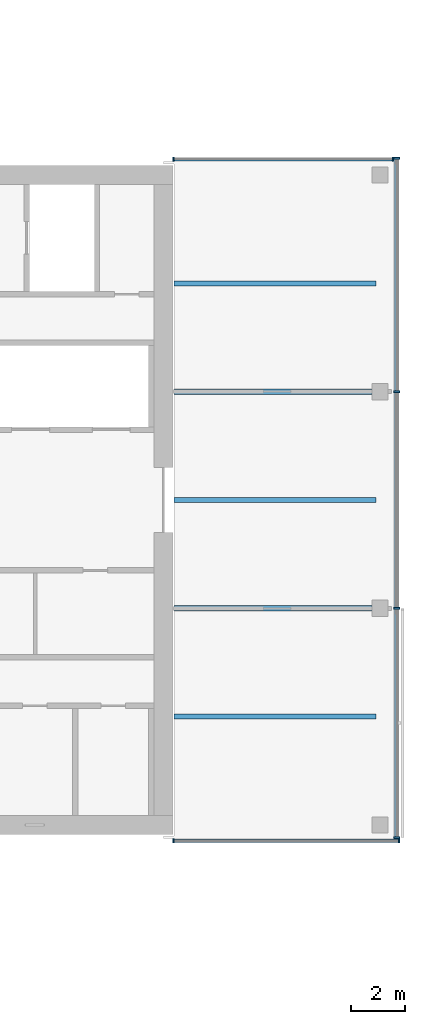
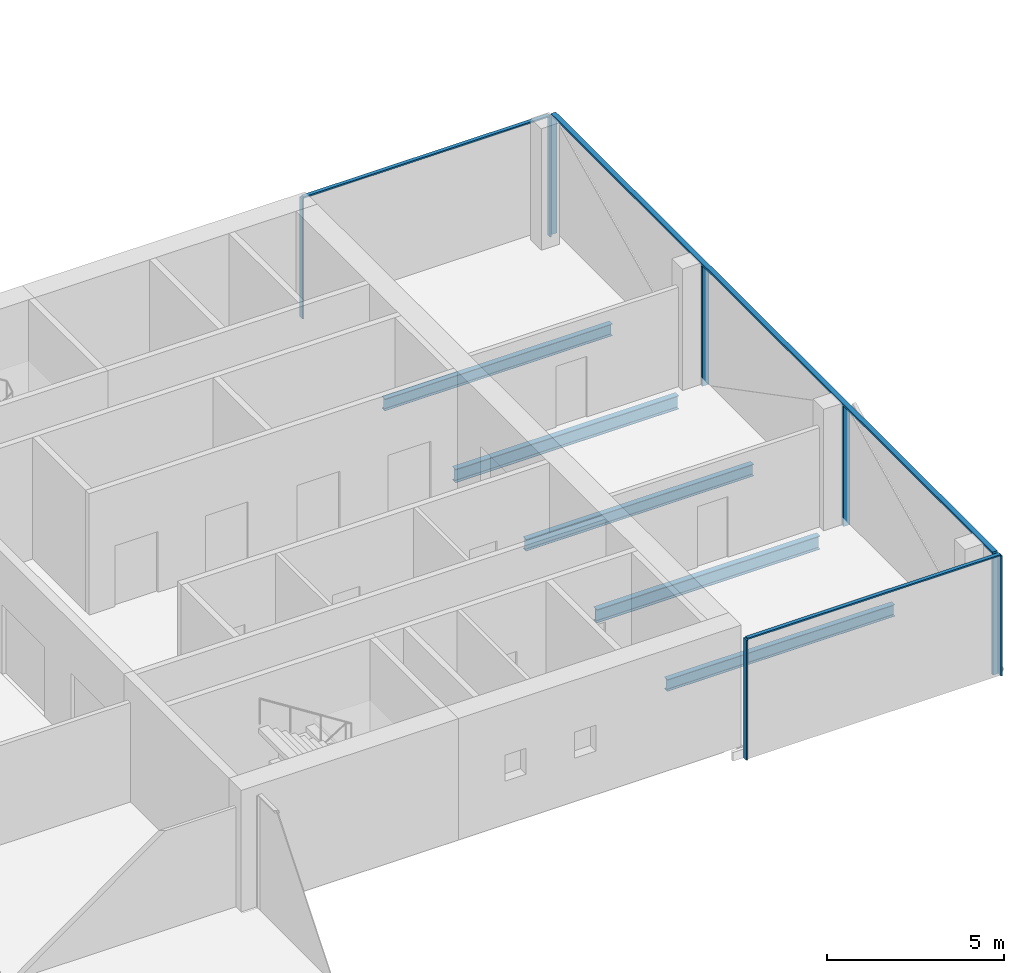
# One storey, part 12 of 24: 11 members, 5 beams, 3 elements without a shape of their own.
"""IFC4 building model written with IfcOpenShell, lengths in metres."""

from ifc_helpers import new_model, si_unit, direction, frame, origin, origin_2d, place, context, subcontext, project, spatial, rectangle, i_section, extrude, material, material_profile, profile_set, type_object, element, aggregate, save


model = new_model("IFC4")

# Units and contexts
model_context = context("Model", 3, precision=1e-05, world=origin(), true_north=direction((0.0, 1.0)))
body_context = subcontext(model_context, "Body", "Model", "MODEL_VIEW")
ifc_project = project(units=[si_unit("LENGTHUNIT", "METRE"), si_unit("AREAUNIT", "SQUARE_METRE"), si_unit("VOLUMEUNIT", "CUBIC_METRE"), si_unit("PLANEANGLEUNIT", "RADIAN"), si_unit("MASSUNIT", "GRAM", prefix="KILO")], contexts=[model_context])

# Site, building, storey
site_placement = place(None, origin())
site = spatial("IfcSite", under=ifc_project, at=site_placement, CompositionType="ELEMENT")
building_placement = place(site_placement, origin())
building = spatial("IfcBuilding", under=site, at=building_placement, Name="Crosswind Convention Tower", CompositionType="ELEMENT")
storey_placement = place(building_placement, frame((0.0, 0.0, 112.699951171875)))
storey = spatial("IfcBuildingStorey", under=building, at=storey_placement, Name="L22", CompositionType="ELEMENT", Elevation=112.699951171875)

# Beams
ifc_material_1 = material(Name="Steel S355", Category="steel")
ifc_material_profile_1 = material_profile(ifc_material_1, i_section(OverallWidth=0.19189453125, OverallDepth=0.463623046875, WebThickness=0.010498046875, FlangeThickness=0.017578125, FilletRadius=0.01025390625, at=origin_2d()), Name="UB 457x191x90")
ifc_profile_set_1 = profile_set([ifc_material_profile_1], Name="Steel S355")
beam_type_1 = type_object("IfcBeamType", Name="Girder at core wall UB 457x191x90", PredefinedType="BEAM", material=ifc_profile_set_1)
for number, where, z_axis, x_axis, name in (
    (1, (153.39990234375, 96.0, -0.53173828125), (1.0, 0.0, 0.0), (0.0, 1.0, 0.0), "B24 L22 girder at core wall 7"),
    (2, (153.39990234375, 104.0, -0.53173828125), (1.0, 0.0, 0.0), (0.0, 1.0, 0.0), "B24 L22 girder at core wall 8"),
):
    element("IfcBeam", number, at=place(storey_placement, frame(where, z_axis=z_axis, x_axis=x_axis)), inside=storey, type_object=beam_type_1, Name=name, PredefinedType="BEAM", context=body_context, shape_type="SweptSolid", body=[
        extrude(i_section(OverallWidth=0.19189453125, OverallDepth=0.463623046875, WebThickness=0.010498046875, FlangeThickness=0.017578125, FilletRadius=0.01025390625, at=origin_2d()), origin(), (0.0, 0.0, 1.0), 7.300048828125),
    ])

# Curtain wall, members
ifc_material_2 = material(Name="Aluminium unitised curtain wall", Category="aluminium")
curtain_wall_type_1 = type_object("IfcCurtainWallType", Name="CORE END SLOT WALL 160", PredefinedType="USERDEFINED", material=ifc_material_2)
curtain_wall_1_placement = place(storey_placement, origin())
curtain_wall_1 = element("IfcCurtainWall", 3, at=curtain_wall_1_placement, inside=storey, type_object=curtain_wall_type_1, Name="CW6 L22 E-N.1-1 slot", ObjectType="UNITISED", PredefinedType="USERDEFINED")
ifc_material_3 = material(Name="Aluminium mullion", Category="aluminium")
ifc_material_profile_2 = material_profile(ifc_material_3, rectangle(XDim=0.159912109375, YDim=0.050048828125, at=origin_2d()), Name="AL 160X50")
ifc_profile_set_2 = profile_set([ifc_material_profile_2], Name="Aluminium mullion")
member_type_1 = type_object("IfcMemberType", Name="MULLION 50X160", PredefinedType="MULLION", material=ifc_profile_set_2)
member_1_placement = place(storey_placement, frame((161.47509765625, 112.580078125, -0.300048828125), z_axis=(0.0, 0.0, 1.0), x_axis=(0.0, 1.0, 0.0)))
member_1 = element("IfcMember", 4, at=member_1_placement, type_object=member_type_1, Name="CW6 mullion 1", PredefinedType="MULLION", context=body_context, shape_type="SweptSolid", body=[
    extrude(rectangle(XDim=0.159912109375, YDim=0.050048828125, at=origin_2d()), origin(), (0.0, 0.0, 1.0), 4.150146484375),
])
member_2_placement = place(storey_placement, frame((153.375, 112.580078125, -0.300048828125), z_axis=(0.0, 0.0, 1.0), x_axis=(0.0, 1.0, 0.0)))
member_2 = element("IfcMember", 5, at=member_2_placement, type_object=member_type_1, Name="CW6 mullion 2", PredefinedType="MULLION", context=body_context, shape_type="SweptSolid", body=[
    extrude(rectangle(XDim=0.159912109375, YDim=0.050048828125, at=origin_2d()), origin(), (0.0, 0.0, 1.0), 4.150146484375),
])

curtain_wall_2_placement = place(storey_placement, origin())
curtain_wall_2 = element("IfcCurtainWall", 6, at=curtain_wall_2_placement, inside=storey, type_object=curtain_wall_type_1, Name="CW6 L22 E-S.2-1 slot", ObjectType="UNITISED", PredefinedType="USERDEFINED")
member_3_placement = place(storey_placement, frame((153.375, 87.419921875, -0.300048828125), z_axis=(0.0, 0.0, 1.0), x_axis=(0.0, -1.0, 0.0)))
member_3 = element("IfcMember", 7, at=member_3_placement, type_object=member_type_1, Name="CW6 mullion 1", PredefinedType="MULLION", context=body_context, shape_type="SweptSolid", body=[
    extrude(rectangle(XDim=0.159912109375, YDim=0.050048828125, at=origin_2d()), origin(), (0.0, 0.0, 1.0), 4.150146484375),
])
member_4_placement = place(storey_placement, frame((161.695068359375, 87.419921875, -0.300048828125), z_axis=(0.0, 0.0, 1.0), x_axis=(0.0, -1.0, 0.0)))
member_4 = element("IfcMember", 8, at=member_4_placement, type_object=member_type_1, Name="CW6 mullion 2", PredefinedType="MULLION", context=body_context, shape_type="SweptSolid", body=[
    extrude(rectangle(XDim=0.159912109375, YDim=0.050048828125, at=origin_2d()), origin(), (0.0, 0.0, 1.0), 4.150146484375),
])

curtain_wall_type_2 = type_object("IfcCurtainWallType", Name="OFFICE UNITISED WALL 220", PredefinedType="USERDEFINED", material=ifc_material_2)
curtain_wall_3_placement = place(storey_placement, origin())
curtain_wall_3 = element("IfcCurtainWall", 9, at=curtain_wall_3_placement, inside=storey, type_object=curtain_wall_type_2, Name="CW3 L22 E-TIP 1", ObjectType="UNITISED", PredefinedType="USERDEFINED")
ifc_material_profile_3 = material_profile(ifc_material_3, rectangle(XDim=0.219970703125, YDim=0.070068359375, at=origin_2d()), Name="AL 220X70")
ifc_profile_set_3 = profile_set([ifc_material_profile_3], Name="Aluminium mullion")
member_type_2 = type_object("IfcMemberType", Name="MULLION 70X220", PredefinedType="MULLION", material=ifc_profile_set_3)
member_5_placement = place(storey_placement, frame((161.610107421875, 87.534912109375, -0.300048828125), z_axis=(0.0, 0.0, 1.0), x_axis=(1.0, 0.0, 0.0)))
member_5 = element("IfcMember", 10, at=member_5_placement, type_object=member_type_2, Name="CW3 mullion 1", PredefinedType="MULLION", context=body_context, shape_type="SweptSolid", body=[
    extrude(rectangle(XDim=0.219970703125, YDim=0.070068359375, at=origin_2d()), origin(), (0.0, 0.0, 1.0), 4.130126953125),
])
member_6_placement = place(storey_placement, frame((161.610107421875, 96.0, -0.300048828125), z_axis=(0.0, 0.0, 1.0), x_axis=(1.0, 0.0, 0.0)))
member_6 = element("IfcMember", 11, at=member_6_placement, type_object=member_type_2, Name="CW3 mullion 2", PredefinedType="MULLION", context=body_context, shape_type="SweptSolid", body=[
    extrude(rectangle(XDim=0.219970703125, YDim=0.070068359375, at=origin_2d()), origin(), (0.0, 0.0, 1.0), 4.130126953125),
])
member_7_placement = place(storey_placement, frame((161.610107421875, 104.0, -0.300048828125), z_axis=(0.0, 0.0, 1.0), x_axis=(1.0, 0.0, 0.0)))
member_7 = element("IfcMember", 12, at=member_7_placement, type_object=member_type_2, Name="CW3 mullion 3", PredefinedType="MULLION", context=body_context, shape_type="SweptSolid", body=[
    extrude(rectangle(XDim=0.219970703125, YDim=0.070068359375, at=origin_2d()), origin(), (0.0, 0.0, 1.0), 4.130126953125),
])
member_8_placement = place(storey_placement, frame((161.610107421875, 112.625, -0.300048828125), z_axis=(0.0, 0.0, 1.0), x_axis=(1.0, 0.0, 0.0)))
member_8 = element("IfcMember", 13, at=member_8_placement, type_object=member_type_2, Name="CW3 mullion 4", PredefinedType="MULLION", context=body_context, shape_type="SweptSolid", body=[
    extrude(rectangle(XDim=0.219970703125, YDim=0.070068359375, at=origin_2d()), origin(), (0.0, 0.0, 1.0), 4.130126953125),
])

# Beams
ifc_material_profile_4 = material_profile(ifc_material_1, i_section(OverallWidth=0.177734375, OverallDepth=0.406494140625, WebThickness=0.0078125, FlangeThickness=0.0126953125, FilletRadius=0.01025390625, at=origin_2d()), Name="UB 406x178x60")
ifc_profile_set_4 = profile_set([ifc_material_profile_4], Name="Steel S355")
beam_type_2 = type_object("IfcBeamType", Name="Secondary beam UB 406x178x60", PredefinedType="JOIST", material=ifc_profile_set_4)
for number, where, z_axis, x_axis, name in (
    (14, (153.39990234375, 92.0, -0.503173828125), (1.0, 0.0, 0.0), (0.0, 1.0, 0.0), "B10 L22 secondary beam 31"),
    (15, (153.39990234375, 100.0, -0.503173828125), (1.0, 0.0, 0.0), (0.0, 1.0, 0.0), "B10 L22 secondary beam 32"),
    (16, (153.39990234375, 108.0, -0.503173828125), (1.0, 0.0, 0.0), (0.0, 1.0, 0.0), "B10 L22 secondary beam 33"),
):
    element("IfcBeam", number, at=place(storey_placement, frame(where, z_axis=z_axis, x_axis=x_axis)), inside=storey, type_object=beam_type_2, Name=name, PredefinedType="JOIST", context=body_context, shape_type="SweptSolid", body=[
        extrude(i_section(OverallWidth=0.177734375, OverallDepth=0.406494140625, WebThickness=0.0078125, FlangeThickness=0.0126953125, FilletRadius=0.01025390625, at=origin_2d()), origin(), (0.0, 0.0, 1.0), 7.443115234375),
    ])

# Member
ifc_material_4 = material(Name="Aluminium transom", Category="aluminium")
ifc_material_profile_5 = material_profile(ifc_material_4, rectangle(XDim=0.1201171875, YDim=0.050048828125, at=origin_2d()), Name="AL 120X50")
ifc_profile_set_5 = profile_set([ifc_material_profile_5], Name="Aluminium transom")
member_type_3 = type_object("IfcMemberType", Name="TRANSOM 50X120", PredefinedType="USERDEFINED", material=ifc_profile_set_5)
member_9_placement = place(storey_placement, frame((161.449951171875, 112.580078125, 3.875), z_axis=(-1.0, 0.0, 0.0), x_axis=(0.0, -1.0, 0.0)))
member_9 = element("IfcMember", 17, at=member_9_placement, type_object=member_type_3, Name="CW6 transom", ObjectType="TRANSOM", PredefinedType="USERDEFINED", context=body_context, shape_type="SweptSolid", body=[
    extrude(rectangle(XDim=0.1201171875, YDim=0.050048828125, at=origin_2d()), origin(), (0.0, 0.0, 1.0), 8.050048828125),
])

aggregate(curtain_wall_1, [member_1, member_2, member_9])

member_10_placement = place(storey_placement, frame((153.39990234375, 87.419921875, 3.875), z_axis=(1.0, 0.0, 0.0), x_axis=(0.0, 1.0, 0.0)))
member_10 = element("IfcMember", 18, at=member_10_placement, type_object=member_type_3, Name="CW6 transom", ObjectType="TRANSOM", PredefinedType="USERDEFINED", context=body_context, shape_type="SweptSolid", body=[
    extrude(rectangle(XDim=0.1201171875, YDim=0.050048828125, at=origin_2d()), origin(), (0.0, 0.0, 1.0), 8.27001953125),
])

aggregate(curtain_wall_2, [member_3, member_4, member_10])

ifc_material_profile_6 = material_profile(ifc_material_4, rectangle(XDim=0.159912109375, YDim=0.070068359375, at=origin_2d()), Name="AL 160X70")
ifc_profile_set_6 = profile_set([ifc_material_profile_6], Name="Aluminium transom")
member_type_4 = type_object("IfcMemberType", Name="TRANSOM 70X160", PredefinedType="USERDEFINED", material=ifc_profile_set_6)
member_11_placement = place(storey_placement, frame((161.610107421875, 87.570068359375, 3.864990234375), z_axis=(0.0, 1.0, 0.0), x_axis=(-1.0, 0.0, 0.0)))
member_11 = element("IfcMember", 19, at=member_11_placement, type_object=member_type_4, Name="CW3 transom", ObjectType="TRANSOM", PredefinedType="USERDEFINED", context=body_context, shape_type="SweptSolid", body=[
    extrude(rectangle(XDim=0.159912109375, YDim=0.070068359375, at=origin_2d()), origin(), (0.0, 0.0, 1.0), 25.02001953125),
])

aggregate(curtain_wall_3, [member_5, member_6, member_7, member_8, member_11])

save(model, "model.ifc")
